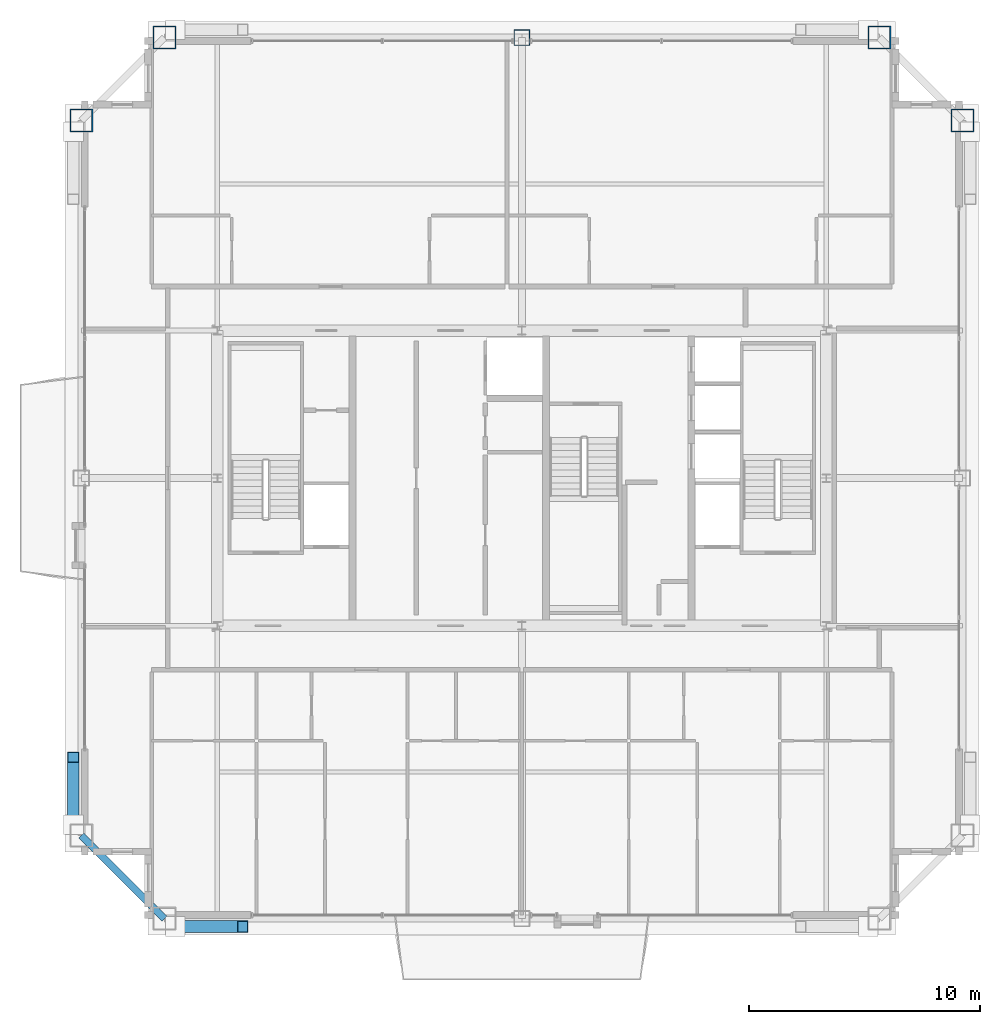
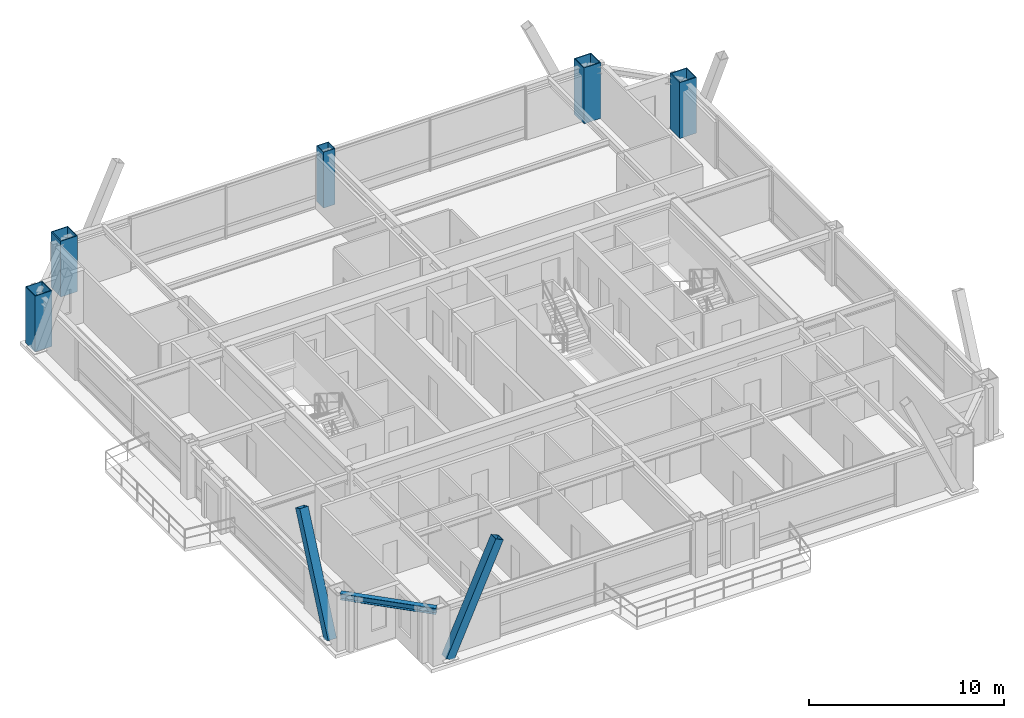
# One storey, part 3 of 33: 5 columns, 2 members, 1 beam.
"""IFC4 building model written with IfcOpenShell, lengths in metres."""

from ifc_helpers import new_model, si_unit, direction, frame, origin, origin_2d, place, context, subcontext, project, spatial, hollow_rectangle, i_section, extrude, source, transform, mapped, material, material_profile, profile_set, type_object, element, save


model = new_model("IFC4")

# Units and contexts
model_context = context("Model", 3, precision=1e-05, world=origin(), true_north=direction((0.0, 1.0)))
body_context = subcontext(model_context, "Body", "Model", "MODEL_VIEW")
ifc_project = project(units=[si_unit("LENGTHUNIT", "METRE"), si_unit("AREAUNIT", "SQUARE_METRE"), si_unit("VOLUMEUNIT", "CUBIC_METRE"), si_unit("PLANEANGLEUNIT", "RADIAN"), si_unit("MASSUNIT", "GRAM", prefix="KILO"), si_unit("THERMODYNAMICTEMPERATUREUNIT", "KELVIN"), si_unit("POWERUNIT", "WATT")], contexts=[model_context])

# Site, building, storey
site_placement = place(None, origin())
site = spatial("IfcSite", under=ifc_project, at=site_placement, CompositionType="ELEMENT")
building_placement = place(site_placement, origin())
building = spatial("IfcBuilding", under=site, at=building_placement, Name="Yuzanri Waterfront Tower", CompositionType="ELEMENT")
storey_placement = place(building_placement, frame((0.0, 0.0, 321.699951171875)))
storey = spatial("IfcBuildingStorey", under=building, at=storey_placement, Name="L86", CompositionType="ELEMENT", Elevation=321.699951171875)

# Columns
ifc_material_1 = material(Name="Steel Q355B", Category="steel")
ifc_material_profile_1 = material_profile(ifc_material_1, hollow_rectangle(XDim=0.699951171875, YDim=0.699951171875, WallThickness=0.031982421875, at=origin_2d()), Name="RHS 700x700x32")
ifc_profile_set_1 = profile_set([ifc_material_profile_1], Name="Steel Q355B")
column_type_1 = type_object("IfcColumnType", Name="Frame Column Q355B RHS 700x700x32", PredefinedType="COLUMN", material=ifc_profile_set_1)
shared_shape_1 = source(origin(), body_context, "Body", "SweptSolid", [
    extrude(hollow_rectangle(XDim=0.699951171875, YDim=0.699951171875, WallThickness=0.031982421875, at=origin_2d()), origin(), (0.0, 0.0, 1.0), 3.5),
])
column_placement = place(storey_placement, frame((37.0, 44.89990234375, 0.0), z_axis=(0.0, 0.0, 1.0), x_axis=(1.0, 0.0, 0.0)))
element("IfcColumn", 1, at=column_placement, inside=storey, type_object=column_type_1, Name="L86 Perimeter Frame Column N2", PredefinedType="COLUMN", context=body_context, shape_type="MappedRepresentation", body=[
    mapped(shared_shape_1, transform((0.0, 0.0, 0.0), scale=1.0)),
])
ifc_material_2 = material(Name="Steel Q390GJC", Category="steel")
ifc_material_profile_2 = material_profile(ifc_material_2, hollow_rectangle(XDim=1.0, YDim=1.0, WallThickness=0.048095703125, at=origin_2d()), Name="RHS 1000x1000x48")
ifc_profile_set_2 = profile_set([ifc_material_profile_2], Name="Steel Q390GJC")
column_type_2 = type_object("IfcColumnType", Name="Mega Column Q390GJC RHS 1000x1000x48", PredefinedType="COLUMN", material=ifc_profile_set_2)
shared_shape_2 = source(origin(), body_context, "Body", "SweptSolid", [
    extrude(hollow_rectangle(XDim=1.0, YDim=1.0, WallThickness=0.048095703125, at=origin_2d()), origin(), (0.0, 0.0, 1.0), 3.5),
])
for number, where, z_axis, x_axis, name in (
    (2, (21.5, 44.89990234375, 0.0), (0.0, 0.0, 1.0), (1.0, 0.0, 0.0), "L86 Perimeter Mega Column N1"),
    (3, (52.5, 44.89990234375, 0.0), (0.0, 0.0, 1.0), (1.0, 0.0, 0.0), "L86 Perimeter Mega Column N3"),
    (4, (17.89990234375, 41.300048828125, 0.0), (0.0, 0.0, 1.0), (1.0, 0.0, 0.0), "L86 Perimeter Mega Column W3"),
    (5, (56.10009765625, 41.300048828125, 0.0), (0.0, 0.0, 1.0), (1.0, 0.0, 0.0), "L86 Perimeter Mega Column E3"),
):
    element("IfcColumn", number, at=place(storey_placement, frame(where, z_axis=z_axis, x_axis=x_axis)), inside=storey, type_object=column_type_2, Name=name, PredefinedType="COLUMN", context=body_context, shape_type="MappedRepresentation", body=[
        mapped(shared_shape_2, transform((0.0, 0.0, 0.0), scale=1.0)),
    ])

# Beam
ifc_material_3 = material(Name="Steel Q355B", Category="steel")
ifc_material_profile_3 = material_profile(ifc_material_3, i_section(OverallWidth=0.300048828125, OverallDepth=0.389892578125, WebThickness=0.010009765625, FlangeThickness=0.01611328125, at=origin_2d()), Name="HM 390x300x10x16")
ifc_profile_set_3 = profile_set([ifc_material_profile_3], Name="Steel Q355B")
beam_type = type_object("IfcBeamType", Name="Perimeter Spandrel Q355B HM 390x300", PredefinedType="SPANDREL", material=ifc_profile_set_3)
shared_shape_3 = source(origin(), body_context, "Body", "SweptSolid", [
    extrude(i_section(OverallWidth=0.300048828125, OverallDepth=0.389892578125, WebThickness=0.010009765625, FlangeThickness=0.01611328125, at=origin_2d()), origin(), (0.0, 0.0, 1.0), 5.09130859375),
])
beam_placement = place(storey_placement, frame((17.89990234375, 10.300048828125, 3.0849609375), z_axis=(0.707106781187, -0.707106781187, 0.0), x_axis=(0.707106781187, 0.707106781187, 0.0)))
element("IfcBeam", 6, at=beam_placement, inside=storey, type_object=beam_type, Name="L86 Perimeter Spandrel W1-S1", PredefinedType="SPANDREL", context=body_context, shape_type="MappedRepresentation", body=[
    mapped(shared_shape_3, transform((0.0, 0.0, 0.0), scale=1.0)),
])

# Members
ifc_material_4 = material(Name="Steel Q390GJC", Category="steel")
ifc_material_profile_4 = material_profile(ifc_material_4, hollow_rectangle(XDim=0.5, YDim=0.5, WallThickness=0.02197265625, at=origin_2d()), Name="RHS 500x500x22")
ifc_profile_set_4 = profile_set([ifc_material_profile_4], Name="Steel Q390GJC")
member_type = type_object("IfcMemberType", Name="Mega Brace Upper Q390GJC RHS 500x500x22", PredefinedType="BRACE", material=ifc_profile_set_4)
shared_shape_4 = source(origin(), body_context, "Body", "SweptSolid", [
    extrude(hollow_rectangle(XDim=0.5, YDim=0.5, WallThickness=0.02197265625, at=origin_2d()), origin(), (0.0, 0.0, 1.0), 7.125732421875),
])
for number, where, z_axis, x_axis, name in (
    (7, (21.97998046875, 6.360107421875, 0.179931640625), (0.409771952938, 0.0, 0.912187999584), (0.0, 1.0, 0.0), "L86-L87 Perimeter Mega-Brace S-L"),
    (8, (17.56005859375, 10.780029296875, 0.179931640625), (0.0, 0.409771952938, 0.912187999584), (-1.0, 0.0, 0.0), "L86-L87 Perimeter Mega-Brace W-L"),
):
    element("IfcMember", number, at=place(storey_placement, frame(where, z_axis=z_axis, x_axis=x_axis)), inside=storey, type_object=member_type, Name=name, PredefinedType="BRACE", context=body_context, shape_type="MappedRepresentation", body=[
        mapped(shared_shape_4, transform((0.0, 0.0, 0.0), scale=1.0)),
    ])

save(model, "model.ifc")
